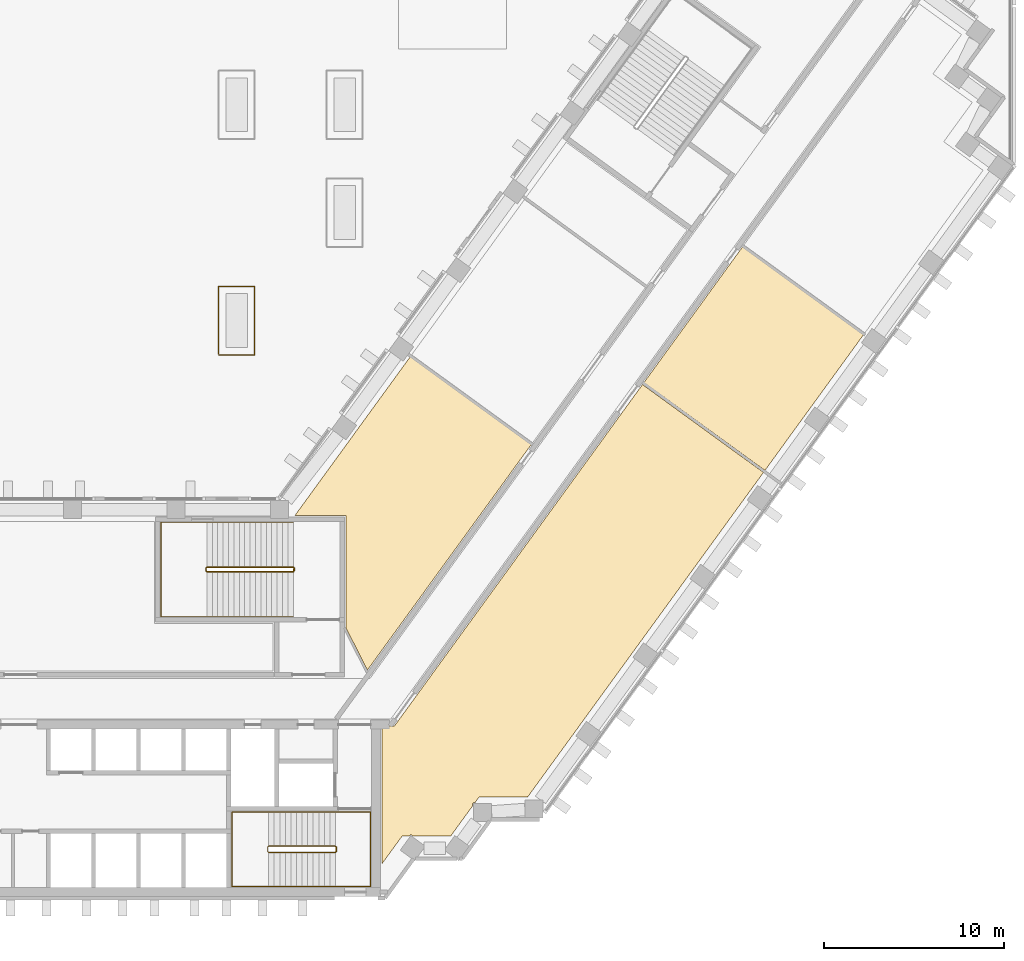
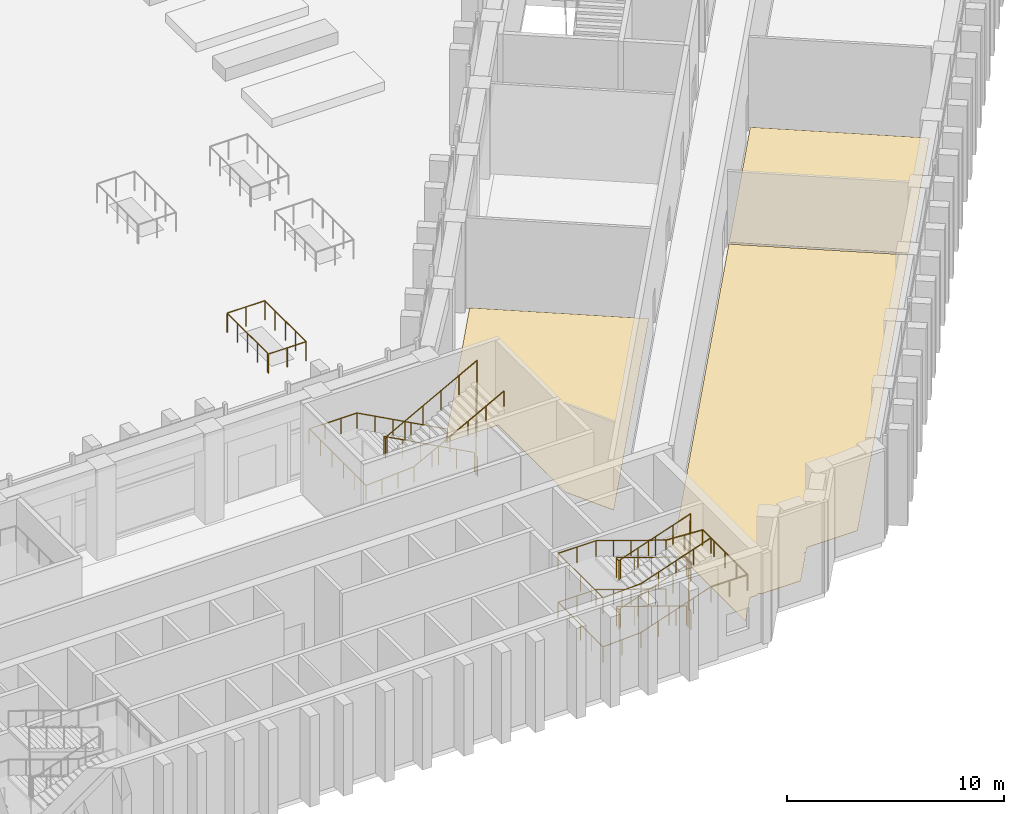
# One storey, part 23 of 25: 5 railings, 3 coverings.
"""IFC4 building model written with IfcOpenShell, lengths in metres."""

from ifc_helpers import new_model, si_unit, direction, frame, origin, origin_2d, place, context, subcontext, project, spatial, polyline, circle, outline, extrude, material, layer, layer_set, type_object, element, save


model = new_model("IFC4")

# Units and contexts
model_context = context("Model", 3, precision=1e-05, world=origin(), true_north=direction((0.0, 1.0)))
body_context = subcontext(model_context, "Body", "Model", "MODEL_VIEW")
ifc_project = project(units=[si_unit("LENGTHUNIT", "METRE"), si_unit("AREAUNIT", "SQUARE_METRE"), si_unit("VOLUMEUNIT", "CUBIC_METRE"), si_unit("PLANEANGLEUNIT", "RADIAN"), si_unit("MASSUNIT", "GRAM", prefix="KILO")], contexts=[model_context])

# Site, building, storey
site_placement = place(None, origin())
site = spatial("IfcSite", under=ifc_project, at=site_placement, CompositionType="ELEMENT")
building_placement = place(site_placement, origin())
building = spatial("IfcBuilding", under=site, at=building_placement, Name="Quipu Civic Tower", CompositionType="ELEMENT")
storey_placement = place(building_placement, frame((0.0, 0.0, 6.0)))
storey = spatial("IfcBuildingStorey", under=building, at=storey_placement, Name="L01", CompositionType="ELEMENT", Elevation=6.0)

# Coverings
ifc_material_1 = material(Name="Carpet tile on raised access floor")
ifc_layer = layer(ifc_material_1, 0.02001953125)
ifc_layer_set = layer_set([ifc_layer], Name="Carpet tile on raised access floor")
covering_type = type_object("IfcCoveringType", Name="Carpet tile floor finish 20", PredefinedType="FLOORING", material=ifc_layer_set)
covering_1_placement = place(storey_placement, origin())
element("IfcCovering", 1, at=covering_1_placement, inside=storey, type_object=covering_type, Name="Carpet tile floor finish 20", PredefinedType="FLOORING", context=body_context, shape_type="SweptSolid", body=[
    extrude(outline(polyline([(34.639892578125, 17.56396484375), (40.112060546875, 25.095947265625), (46.8349609375, 20.2119140625), (41.364013671875, 12.679931640625), (34.639892578125, 17.56396484375)])), origin(), (0.0, 0.0, 1.0), 0.02001953125),
])
covering_2_placement = place(storey_placement, origin())
element("IfcCovering", 2, at=covering_2_placement, inside=storey, type_object=covering_type, Name="Carpet tile floor finish 20", PredefinedType="FLOORING", context=body_context, shape_type="SweptSolid", body=[
    extrude(outline(polyline([(15.238037109375, 10.169921875), (21.64794921875, 18.992919921875), (28.37109375, 14.10888671875), (19.27197265625, 1.583984375), (18.070068359375, 3.94189453125), (18.070068359375, 10.1689453125), (15.238037109375, 10.169921875)])), origin(), (0.0, 0.0, 1.0), 0.02001953125),
])
covering_3_placement = place(storey_placement, origin())
element("IfcCovering", 3, at=covering_3_placement, inside=storey, type_object=covering_type, Name="Carpet tile floor finish 20", PredefinedType="FLOORING", context=body_context, shape_type="SweptSolid", body=[
    extrude(outline(polyline([(20.070068359375, -9.195068359375), (20.070068359375, -1.52001953125), (20.77490234375, -1.51904296875), (34.556884765625, 17.450927734375), (41.281005859375, 12.56689453125), (28.181884765625, -5.4609375), (25.48193359375, -5.4619140625), (25.24609375, -5.787109375), (25.174072265625, -5.787109375), (25.1689453125, -5.787109375), (25.1650390625, -5.7880859375), (25.159912109375, -5.7890625), (25.155029296875, -5.791015625), (25.15087890625, -5.79296875), (25.14697265625, -5.794921875), (25.14306640625, -5.798095703125), (25.138916015625, -5.802001953125), (25.135986328125, -5.804931640625), (25.133056640625, -5.80908203125), (25.1298828125, -5.81298828125), (25.1279296875, -5.818115234375), (25.126953125, -5.822021484375), (25.125, -5.826904296875), (25.125, -5.83203125), (25.1240234375, -5.8369140625), (25.1240234375, -5.955078125), (23.89501953125, -7.64599609375), (21.806884765625, -7.64599609375), (21.7109375, -7.575927734375), (21.7060546875, -7.572998046875), (21.701904296875, -7.571044921875), (21.697998046875, -7.569091796875), (21.693115234375, -7.568115234375), (21.68798828125, -7.56689453125), (21.68310546875, -7.56689453125), (21.677978515625, -7.56689453125), (21.673095703125, -7.56689453125), (21.6689453125, -7.568115234375), (21.6640625, -7.570068359375), (21.658935546875, -7.572021484375), (21.655029296875, -7.573974609375), (21.65087890625, -7.576904296875), (21.64697265625, -7.580078125), (21.64404296875, -7.5830078125), (21.64111328125, -7.5869140625), (21.597900390625, -7.64599609375), (21.196044921875, -7.64599609375), (20.070068359375, -9.195068359375)])), origin(), (0.0, 0.0, 1.0), 0.02001953125),
])

# Railings
ifc_material_2 = material(Name="Steel S275", Category="steel")
railing_type_1 = type_object("IfcRailingType", Name="Deck balustrade G2", PredefinedType="BALUSTRADE", material=ifc_material_2)
railing_1_placement = place(storey_placement, frame((11.0, 19.10009765625, 0.0)))
element("IfcRailing", 4, at=railing_1_placement, inside=storey, type_object=railing_type_1, Name="Rooflight guard 2", PredefinedType="BALUSTRADE", context=body_context, shape_type="SweptSolid", body=[
    extrude(circle(Radius=0.02490234375, at=origin_2d()), frame((0.0, 0.0, 1.0751953125), z_axis=(1.0, 0.0, 0.0), x_axis=(0.0, 1.0, 0.0)), (0.0, 0.0, 1.0), 2.0),
    extrude(circle(Radius=0.02490234375, at=origin_2d()), frame((2.0, 0.0, 1.0751953125), z_axis=(0.0, 1.0, 0.0), x_axis=(-1.0, 0.0, 0.0)), (0.0, 0.0, 1.0), 3.7998046875),
    extrude(circle(Radius=0.02490234375, at=origin_2d()), frame((2.0, 3.7998046875, 1.0751953125), z_axis=(-1.0, 0.0, 0.0), x_axis=(0.0, -1.0, 0.0)), (0.0, 0.0, 1.0), 2.0),
    extrude(circle(Radius=0.02490234375, at=origin_2d()), frame((0.0, 3.7998046875, 1.0751953125), z_axis=(0.0, -1.0, 0.0), x_axis=(1.0, 0.0, 0.0)), (0.0, 0.0, 1.0), 3.72998046875),
    extrude(circle(Radius=0.02490234375, at=origin_2d()), origin(), (0.0, 0.0, 1.0), 1.050048828125),
    extrude(circle(Radius=0.02490234375, at=origin_2d()), frame((1.0, 0.0, 0.0)), (0.0, 0.0, 1.0), 1.050048828125),
    extrude(circle(Radius=0.02490234375, at=origin_2d()), frame((2.0, 0.0, 0.0)), (0.0, 0.0, 1.0), 1.050048828125),
    extrude(circle(Radius=0.02490234375, at=origin_2d()), frame((2.0, 0.949951171875, 0.0)), (0.0, 0.0, 1.0), 1.050048828125),
    extrude(circle(Radius=0.02490234375, at=origin_2d()), frame((2.0, 1.89990234375, 0.0)), (0.0, 0.0, 1.0), 1.050048828125),
    extrude(circle(Radius=0.02490234375, at=origin_2d()), frame((2.0, 2.849853515625, 0.0)), (0.0, 0.0, 1.0), 1.050048828125),
    extrude(circle(Radius=0.02490234375, at=origin_2d()), frame((2.0, 3.7998046875, 0.0)), (0.0, 0.0, 1.0), 1.050048828125),
    extrude(circle(Radius=0.02490234375, at=origin_2d()), frame((1.0, 3.7998046875, 0.0)), (0.0, 0.0, 1.0), 1.050048828125),
    extrude(circle(Radius=0.02490234375, at=origin_2d()), frame((0.0, 3.7998046875, 0.0)), (0.0, 0.0, 1.0), 1.050048828125),
    extrude(circle(Radius=0.02490234375, at=origin_2d()), frame((0.0, 2.8671875, 0.0)), (0.0, 0.0, 1.0), 1.050048828125),
    extrude(circle(Radius=0.02490234375, at=origin_2d()), frame((0.0, 1.934814453125, 0.0)), (0.0, 0.0, 1.0), 1.050048828125),
    extrude(circle(Radius=0.02490234375, at=origin_2d()), frame((0.0, 1.00244140625, 0.0)), (0.0, 0.0, 1.0), 1.050048828125),
    extrude(circle(Radius=0.02490234375, at=origin_2d()), frame((0.0, 0.06982421875, 0.0)), (0.0, 0.0, 1.0), 1.050048828125),
])
ifc_material_3 = material(Name="Stainless steel", Category="steel")
railing_type_2 = type_object("IfcRailingType", Name="Stair guard 1100", PredefinedType="GUARDRAIL", material=ifc_material_3)
railing_2_placement = place(storey_placement, frame((17.5, -8.199951171875, 0.105712890625)))
element("IfcRailing", 5, at=railing_2_placement, inside=storey, type_object=railing_type_2, Name="Stair 2 guard", PredefinedType="GUARDRAIL", context=body_context, shape_type="SweptSolid", body=[
    extrude(circle(Radius=0.02392578125, at=origin_2d()), frame((0.0, 0.0, 1.076171875), z_axis=(-0.946423494061, 0.0, 0.322928118765), x_axis=(0.0, -1.0, 0.0)), (0.0, 0.0, 1.0), 3.9306640625),
    extrude(circle(Radius=0.02392578125, at=origin_2d()), frame((-3.719970703125, 0.0, 2.34521484375), z_axis=(-0.707106781187, -0.707106781187, 0.0), x_axis=(0.707106781187, -0.707106781187, 0.0)), (0.0, 0.0, 1.0), 0.07080078125),
    extrude(circle(Radius=0.02392578125, at=origin_2d()), frame((-3.77001953125, -0.050048828125, 2.34521484375), z_axis=(0.0, -1.0, 0.0), x_axis=(1.0, 0.0, 0.0)), (0.0, 0.0, 1.0), 0.25),
    extrude(circle(Radius=0.02392578125, at=origin_2d()), frame((-3.77001953125, -0.300048828125, 2.34521484375), z_axis=(0.393403078344, -0.393403078344, 0.830944063039), x_axis=(0.707106781187, 0.707106781187, 0.0)), (0.0, 0.0, 1.0), 0.127197265625),
    extrude(circle(Radius=0.02392578125, at=origin_2d()), frame((-3.719970703125, -0.35009765625, 2.451171875), z_axis=(0.946423494061, 0.0, 0.322928118765), x_axis=(0.0, 1.0, 0.0)), (0.0, 0.0, 1.0), 3.9306640625),
    extrude(circle(Radius=0.02392578125, at=origin_2d()), frame((0.0, -0.35009765625, 3.72021484375), z_axis=(0.164529134168, 0.986372223864, 0.0), x_axis=(-0.986372223864, 0.164529134168, 0.0)), (0.0, 0.0, 1.0), 0.30419921875),
    extrude(circle(Radius=0.02392578125, at=origin_2d()), frame((0.050048828125, -0.050048828125, 3.72021484375), z_axis=(0.0, -1.0, 0.0), x_axis=(1.0, 0.0, 0.0)), (0.0, 0.0, 1.0), 0.25),
    extrude(circle(Radius=0.02392578125, at=origin_2d()), frame((0.050048828125, -0.300048828125, 3.72021484375), z_axis=(-0.155412108586, 0.931714543669, 0.328260697648), x_axis=(-0.986372223864, -0.164529134168, 0.0)), (0.0, 0.0, 1.0), 0.322021484375),
    extrude(circle(Radius=0.02392578125, at=origin_2d()), frame((0.0, 0.0, 3.826171875), z_axis=(-0.946423494061, 0.0, 0.322928118765), x_axis=(0.0, -1.0, 0.0)), (0.0, 0.0, 1.0), 3.9306640625),
    extrude(circle(Radius=0.02392578125, at=origin_2d()), frame((-3.719970703125, 0.0, 5.09521484375), z_axis=(-0.707106781187, -0.707106781187, 0.0), x_axis=(0.707106781187, -0.707106781187, 0.0)), (0.0, 0.0, 1.0), 0.07080078125),
    extrude(circle(Radius=0.02392578125, at=origin_2d()), frame((-3.77001953125, -0.050048828125, 5.09521484375), z_axis=(0.0, -1.0, 0.0), x_axis=(1.0, 0.0, 0.0)), (0.0, 0.0, 1.0), 0.25),
    extrude(circle(Radius=0.02392578125, at=origin_2d()), frame((-3.77001953125, -0.300048828125, 5.09521484375), z_axis=(0.393403078344, -0.393403078344, 0.830944063039), x_axis=(0.707106781187, 0.707106781187, 0.0)), (0.0, 0.0, 1.0), 0.127197265625),
    extrude(circle(Radius=0.02392578125, at=origin_2d()), frame((-3.719970703125, -0.35009765625, 5.201171875), z_axis=(0.946423494061, 0.0, 0.322928118765), x_axis=(0.0, 1.0, 0.0)), (0.0, 0.0, 1.0), 3.9306640625),
    extrude(circle(Radius=0.02392578125, at=origin_2d()), frame((0.0, -0.35009765625, 6.47021484375), z_axis=(0.009085900743, 0.05447108299, -0.998474009439), x_axis=(-0.986372223864, 0.164529134168, 0.0)), (0.0, 0.0, 1.0), 5.50830078125),
    extrude(circle(Radius=0.02392578125, at=origin_2d()), frame((0.050048828125, -0.050048828125, 0.97021484375), z_axis=(0.0, -1.0, 0.0), x_axis=(1.0, 0.0, 0.0)), (0.0, 0.0, 1.0), 0.25),
    extrude(circle(Radius=0.02099609375, at=origin_2d()), origin(), (0.0, 0.0, 1.0), 1.052001953125),
    extrude(circle(Radius=0.02099609375, at=origin_2d()), frame((-0.929931640625, 0.0, 0.3173828125)), (0.0, 0.0, 1.0), 1.052001953125),
    extrude(circle(Radius=0.02099609375, at=origin_2d()), frame((-1.85986328125, 0.0, 0.634765625)), (0.0, 0.0, 1.0), 1.052001953125),
    extrude(circle(Radius=0.02099609375, at=origin_2d()), frame((-2.7900390625, 0.0, 0.951904296875)), (0.0, 0.0, 1.0), 1.052001953125),
    extrude(circle(Radius=0.02099609375, at=origin_2d()), frame((-3.719970703125, 0.0, 1.269287109375)), (0.0, 0.0, 1.0), 1.052001953125),
    extrude(circle(Radius=0.02099609375, at=origin_2d()), frame((-3.77001953125, -0.050048828125, 1.269287109375)), (0.0, 0.0, 1.0), 1.052001953125),
    extrude(circle(Radius=0.02099609375, at=origin_2d()), frame((-3.77001953125, -0.300048828125, 1.269287109375)), (0.0, 0.0, 1.0), 1.052001953125),
    extrude(circle(Radius=0.02099609375, at=origin_2d()), frame((-3.719970703125, -0.35009765625, 1.375)), (0.0, 0.0, 1.0), 1.052001953125),
    extrude(circle(Radius=0.02099609375, at=origin_2d()), frame((-2.7900390625, -0.35009765625, 1.6923828125)), (0.0, 0.0, 1.0), 1.052001953125),
    extrude(circle(Radius=0.02099609375, at=origin_2d()), frame((-1.85986328125, -0.35009765625, 2.009765625)), (0.0, 0.0, 1.0), 1.052001953125),
    extrude(circle(Radius=0.02099609375, at=origin_2d()), frame((-0.929931640625, -0.35009765625, 2.326904296875)), (0.0, 0.0, 1.0), 1.052001953125),
    extrude(circle(Radius=0.02099609375, at=origin_2d()), frame((0.0, -0.35009765625, 2.644287109375)), (0.0, 0.0, 1.0), 1.052001953125),
    extrude(circle(Radius=0.02099609375, at=origin_2d()), frame((0.050048828125, -0.050048828125, 2.644287109375)), (0.0, 0.0, 1.0), 1.052001953125),
    extrude(circle(Radius=0.02099609375, at=origin_2d()), frame((0.050048828125, -0.300048828125, 2.644287109375)), (0.0, 0.0, 1.0), 1.052001953125),
    extrude(circle(Radius=0.02099609375, at=origin_2d()), frame((0.0, 0.0, 2.75)), (0.0, 0.0, 1.0), 1.052001953125),
    extrude(circle(Radius=0.02099609375, at=origin_2d()), frame((-0.929931640625, 0.0, 3.0673828125)), (0.0, 0.0, 1.0), 1.052001953125),
    extrude(circle(Radius=0.02099609375, at=origin_2d()), frame((-1.85986328125, 0.0, 3.384765625)), (0.0, 0.0, 1.0), 1.052001953125),
    extrude(circle(Radius=0.02099609375, at=origin_2d()), frame((-2.7900390625, 0.0, 3.701904296875)), (0.0, 0.0, 1.0), 1.052001953125),
    extrude(circle(Radius=0.02099609375, at=origin_2d()), frame((-3.719970703125, 0.0, 4.019287109375)), (0.0, 0.0, 1.0), 1.052001953125),
    extrude(circle(Radius=0.02099609375, at=origin_2d()), frame((-3.77001953125, -0.050048828125, 4.019287109375)), (0.0, 0.0, 1.0), 1.052001953125),
    extrude(circle(Radius=0.02099609375, at=origin_2d()), frame((-3.77001953125, -0.300048828125, 4.019287109375)), (0.0, 0.0, 1.0), 1.052001953125),
    extrude(circle(Radius=0.02099609375, at=origin_2d()), frame((-3.719970703125, -0.35009765625, 4.125)), (0.0, 0.0, 1.0), 1.052001953125),
    extrude(circle(Radius=0.02099609375, at=origin_2d()), frame((-2.7900390625, -0.35009765625, 4.4423828125)), (0.0, 0.0, 1.0), 1.052001953125),
    extrude(circle(Radius=0.02099609375, at=origin_2d()), frame((-1.85986328125, -0.35009765625, 4.759765625)), (0.0, 0.0, 1.0), 1.052001953125),
    extrude(circle(Radius=0.02099609375, at=origin_2d()), frame((-0.929931640625, -0.35009765625, 5.076904296875)), (0.0, 0.0, 1.0), 1.052001953125),
    extrude(circle(Radius=0.02099609375, at=origin_2d()), frame((0.0, -0.35009765625, 5.394287109375)), (0.0, 0.0, 1.0), 1.052001953125),
    extrude(circle(Radius=0.02099609375, at=origin_2d()), frame((0.010009765625, -0.2900390625, 4.294189453125)), (0.0, 0.0, 1.0), 1.052001953125),
    extrude(circle(Radius=0.02099609375, at=origin_2d()), frame((0.02001953125, -0.22998046875, 3.1943359375)), (0.0, 0.0, 1.0), 1.052001953125),
    extrude(circle(Radius=0.02099609375, at=origin_2d()), frame((0.030029296875, -0.170166015625, 2.09423828125)), (0.0, 0.0, 1.0), 1.052001953125),
    extrude(circle(Radius=0.02099609375, at=origin_2d()), frame((0.0400390625, -0.110107421875, 0.994384765625)), (0.0, 0.0, 1.0), 1.052001953125),
    extrude(circle(Radius=0.02099609375, at=origin_2d()), frame((0.050048828125, -0.050048828125, -0.105712890625)), (0.0, 0.0, 1.0), 1.052001953125),
    extrude(circle(Radius=0.02099609375, at=origin_2d()), frame((0.050048828125, -0.300048828125, -0.105712890625)), (0.0, 0.0, 1.0), 1.052001953125),
])
railing_3_placement = place(storey_placement, frame((15.14990234375, 7.300048828125, 0.161865234375)))
element("IfcRailing", 6, at=railing_3_placement, inside=storey, type_object=railing_type_2, Name="Stair 4 guard", PredefinedType="GUARDRAIL", context=body_context, shape_type="SweptSolid", body=[
    extrude(circle(Radius=0.02392578125, at=origin_2d()), frame((0.0, 0.0, 1.076171875), z_axis=(-0.880193493545, 0.0, 0.474615016535), x_axis=(0.0, -1.0, 0.0)), (0.0, 0.0, 1.0), 5.453125),
    extrude(circle(Radius=0.02392578125, at=origin_2d()), frame((-4.7998046875, 0.0, 3.6640625), z_axis=(-0.707106781187, -0.707106781187, 0.0), x_axis=(0.707106781187, -0.707106781187, 0.0)), (0.0, 0.0, 1.0), 0.07080078125),
    extrude(circle(Radius=0.02392578125, at=origin_2d()), frame((-4.849853515625, -0.050048828125, 3.6640625), z_axis=(0.0, -1.0, 0.0), x_axis=(1.0, 0.0, 0.0)), (0.0, 0.0, 1.0), 0.14990234375),
    extrude(circle(Radius=0.02392578125, at=origin_2d()), frame((-4.849853515625, -0.199951171875, 3.6640625), z_axis=(0.283299731285, -0.283299731285, 0.916232789474), x_axis=(0.707106781187, 0.707106781187, 0.0)), (0.0, 0.0, 1.0), 0.1767578125),
    extrude(circle(Radius=0.02392578125, at=origin_2d()), frame((-4.7998046875, -0.25, 3.826171875), z_axis=(0.880193493545, 0.0, 0.474615016535), x_axis=(0.0, 1.0, 0.0)), (0.0, 0.0, 1.0), 5.453125),
    extrude(circle(Radius=0.02392578125, at=origin_2d()), frame((0.0, -0.25, 6.4140625), z_axis=(0.009093403445, 0.036329255716, -0.999298501546), x_axis=(-0.970072785993, 0.242814311512, 0.0)), (0.0, 0.0, 1.0), 5.50390625),
    extrude(circle(Radius=0.02392578125, at=origin_2d()), frame((0.050048828125, -0.050048828125, 0.9140625), z_axis=(0.0, -1.0, 0.0), x_axis=(1.0, 0.0, 0.0)), (0.0, 0.0, 1.0), 0.14990234375),
    extrude(circle(Radius=0.02099609375, at=origin_2d()), origin(), (0.0, 0.0, 1.0), 1.052001953125),
    extrude(circle(Radius=0.02099609375, at=origin_2d()), frame((-0.9599609375, 0.0, 0.517578125)), (0.0, 0.0, 1.0), 1.052001953125),
    extrude(circle(Radius=0.02099609375, at=origin_2d()), frame((-1.919921875, 0.0, 1.03515625)), (0.0, 0.0, 1.0), 1.052001953125),
    extrude(circle(Radius=0.02099609375, at=origin_2d()), frame((-2.8798828125, 0.0, 1.552978515625)), (0.0, 0.0, 1.0), 1.052001953125),
    extrude(circle(Radius=0.02099609375, at=origin_2d()), frame((-3.83984375, 0.0, 2.070556640625)), (0.0, 0.0, 1.0), 1.052001953125),
    extrude(circle(Radius=0.02099609375, at=origin_2d()), frame((-4.7998046875, 0.0, 2.588134765625)), (0.0, 0.0, 1.0), 1.052001953125),
    extrude(circle(Radius=0.02099609375, at=origin_2d()), frame((-4.849853515625, -0.050048828125, 2.588134765625)), (0.0, 0.0, 1.0), 1.052001953125),
    extrude(circle(Radius=0.02099609375, at=origin_2d()), frame((-4.849853515625, -0.199951171875, 2.588134765625)), (0.0, 0.0, 1.0), 1.052001953125),
    extrude(circle(Radius=0.02099609375, at=origin_2d()), frame((-4.7998046875, -0.25, 2.75)), (0.0, 0.0, 1.0), 1.052001953125),
    extrude(circle(Radius=0.02099609375, at=origin_2d()), frame((-3.83984375, -0.25, 3.267578125)), (0.0, 0.0, 1.0), 1.052001953125),
    extrude(circle(Radius=0.02099609375, at=origin_2d()), frame((-2.8798828125, -0.25, 3.78515625)), (0.0, 0.0, 1.0), 1.052001953125),
    extrude(circle(Radius=0.02099609375, at=origin_2d()), frame((-1.919921875, -0.25, 4.302978515625)), (0.0, 0.0, 1.0), 1.052001953125),
    extrude(circle(Radius=0.02099609375, at=origin_2d()), frame((-0.9599609375, -0.25, 4.820556640625)), (0.0, 0.0, 1.0), 1.052001953125),
    extrude(circle(Radius=0.02099609375, at=origin_2d()), frame((0.0, -0.25, 5.338134765625)), (0.0, 0.0, 1.0), 1.052001953125),
    extrude(circle(Radius=0.02099609375, at=origin_2d()), frame((0.010009765625, -0.2099609375, 4.238037109375)), (0.0, 0.0, 1.0), 1.052001953125),
    extrude(circle(Radius=0.02099609375, at=origin_2d()), frame((0.02001953125, -0.169921875, 3.13818359375)), (0.0, 0.0, 1.0), 1.052001953125),
    extrude(circle(Radius=0.02099609375, at=origin_2d()), frame((0.030029296875, -0.130126953125, 2.0380859375)), (0.0, 0.0, 1.0), 1.052001953125),
    extrude(circle(Radius=0.02099609375, at=origin_2d()), frame((0.0400390625, -0.090087890625, 0.938232421875)), (0.0, 0.0, 1.0), 1.052001953125),
    extrude(circle(Radius=0.02099609375, at=origin_2d()), frame((0.050048828125, -0.050048828125, -0.161865234375)), (0.0, 0.0, 1.0), 1.052001953125),
    extrude(circle(Radius=0.02099609375, at=origin_2d()), frame((0.050048828125, -0.199951171875, -0.161865234375)), (0.0, 0.0, 1.0), 1.052001953125),
])
ifc_material_4 = material(Name="Stainless steel", Category="steel")
railing_type_3 = type_object("IfcRailingType", Name="Stair handrail", PredefinedType="HANDRAIL", material=ifc_material_4)
railing_4_placement = place(storey_placement, frame((17.5, -6.300048828125, 0.105712890625)))
element("IfcRailing", 7, at=railing_4_placement, inside=storey, type_object=railing_type_3, Name="Stair 2 handrail", PredefinedType="HANDRAIL", context=body_context, shape_type="SweptSolid", body=[
    extrude(circle(Radius=0.02392578125, at=origin_2d()), frame((0.0, 0.0, 0.8759765625), z_axis=(-0.946423494061, 0.0, 0.322928118765), x_axis=(0.0, -1.0, 0.0)), (0.0, 0.0, 1.0), 3.9306640625),
    extrude(circle(Radius=0.02392578125, at=origin_2d()), frame((-3.719970703125, 0.0, 2.14501953125), z_axis=(-1.0, 0.0, 0.0), x_axis=(0.0, -1.0, 0.0)), (0.0, 0.0, 1.0), 2.030029296875),
    extrude(circle(Radius=0.02392578125, at=origin_2d()), frame((-5.75, 0.0, 2.14501953125), z_axis=(0.0, -1.0, 0.0), x_axis=(1.0, 0.0, 0.0)), (0.0, 0.0, 1.0), 4.14990234375),
    extrude(circle(Radius=0.02392578125, at=origin_2d()), frame((-5.75, -4.14990234375, 2.14501953125), z_axis=(0.998646871289, 0.0, 0.052004100453), x_axis=(0.0, 1.0, 0.0)), (0.0, 0.0, 1.0), 2.03271484375),
    extrude(circle(Radius=0.02392578125, at=origin_2d()), frame((-3.719970703125, -4.14990234375, 2.2509765625), z_axis=(0.946423494061, 0.0, 0.322928118765), x_axis=(0.0, 1.0, 0.0)), (0.0, 0.0, 1.0), 3.9306640625),
    extrude(circle(Radius=0.02392578125, at=origin_2d()), frame((0.0, -4.14990234375, 3.52001953125), z_axis=(1.0, 0.0, 0.0), x_axis=(0.0, 1.0, 0.0)), (0.0, 0.0, 1.0), 1.949951171875),
    extrude(circle(Radius=0.02392578125, at=origin_2d()), frame((1.949951171875, -4.14990234375, 3.52001953125), z_axis=(0.0, 1.0, 0.0), x_axis=(-1.0, 0.0, 0.0)), (0.0, 0.0, 1.0), 4.14990234375),
    extrude(circle(Radius=0.02392578125, at=origin_2d()), frame((1.949951171875, 0.0, 3.52001953125), z_axis=(-0.99853370146, 0.0, 0.054133603698), x_axis=(0.0, -1.0, 0.0)), (0.0, 0.0, 1.0), 1.952880859375),
    extrude(circle(Radius=0.02392578125, at=origin_2d()), frame((0.0, 0.0, 3.6259765625), z_axis=(-0.946423494061, 0.0, 0.322928118765), x_axis=(0.0, -1.0, 0.0)), (0.0, 0.0, 1.0), 3.9306640625),
    extrude(circle(Radius=0.02392578125, at=origin_2d()), frame((-3.719970703125, 0.0, 4.89501953125), z_axis=(-1.0, 0.0, 0.0), x_axis=(0.0, -1.0, 0.0)), (0.0, 0.0, 1.0), 2.030029296875),
    extrude(circle(Radius=0.02392578125, at=origin_2d()), frame((-5.75, 0.0, 4.89501953125), z_axis=(0.0, -1.0, 0.0), x_axis=(1.0, 0.0, 0.0)), (0.0, 0.0, 1.0), 4.14990234375),
    extrude(circle(Radius=0.02392578125, at=origin_2d()), frame((-5.75, -4.14990234375, 4.89501953125), z_axis=(0.998646871289, 0.0, 0.052004100453), x_axis=(0.0, 1.0, 0.0)), (0.0, 0.0, 1.0), 2.03271484375),
    extrude(circle(Radius=0.02392578125, at=origin_2d()), frame((-3.719970703125, -4.14990234375, 5.0009765625), z_axis=(0.946423494061, 0.0, 0.322928118765), x_axis=(0.0, 1.0, 0.0)), (0.0, 0.0, 1.0), 3.9306640625),
    extrude(circle(Radius=0.02099609375, at=origin_2d()), origin(), (0.0, 0.0, 1.0), 0.851806640625),
    extrude(circle(Radius=0.02099609375, at=origin_2d()), frame((-0.929931640625, 0.0, 0.3173828125)), (0.0, 0.0, 1.0), 0.851806640625),
    extrude(circle(Radius=0.02099609375, at=origin_2d()), frame((-1.85986328125, 0.0, 0.634765625)), (0.0, 0.0, 1.0), 0.851806640625),
    extrude(circle(Radius=0.02099609375, at=origin_2d()), frame((-2.7900390625, 0.0, 0.951904296875)), (0.0, 0.0, 1.0), 0.851806640625),
    extrude(circle(Radius=0.02099609375, at=origin_2d()), frame((-3.719970703125, 0.0, 1.269287109375)), (0.0, 0.0, 1.0), 0.851806640625),
    extrude(circle(Radius=0.02099609375, at=origin_2d()), frame((-4.73486328125, 0.0, 1.269287109375)), (0.0, 0.0, 1.0), 0.851806640625),
    extrude(circle(Radius=0.02099609375, at=origin_2d()), frame((-5.75, 0.0, 1.269287109375)), (0.0, 0.0, 1.0), 0.851806640625),
    extrude(circle(Radius=0.02099609375, at=origin_2d()), frame((-5.75, -1.03759765625, 1.269287109375)), (0.0, 0.0, 1.0), 0.851806640625),
    extrude(circle(Radius=0.02099609375, at=origin_2d()), frame((-5.75, -2.074951171875, 1.269287109375)), (0.0, 0.0, 1.0), 0.851806640625),
    extrude(circle(Radius=0.02099609375, at=origin_2d()), frame((-5.75, -3.1123046875, 1.269287109375)), (0.0, 0.0, 1.0), 0.851806640625),
    extrude(circle(Radius=0.02099609375, at=origin_2d()), frame((-5.75, -4.14990234375, 1.269287109375)), (0.0, 0.0, 1.0), 0.851806640625),
    extrude(circle(Radius=0.02099609375, at=origin_2d()), frame((-4.73486328125, -4.14990234375, 1.322265625)), (0.0, 0.0, 1.0), 0.851806640625),
    extrude(circle(Radius=0.02099609375, at=origin_2d()), frame((-3.719970703125, -4.14990234375, 1.375)), (0.0, 0.0, 1.0), 0.851806640625),
    extrude(circle(Radius=0.02099609375, at=origin_2d()), frame((-2.7900390625, -4.14990234375, 1.6923828125)), (0.0, 0.0, 1.0), 0.851806640625),
    extrude(circle(Radius=0.02099609375, at=origin_2d()), frame((-1.85986328125, -4.14990234375, 2.009765625)), (0.0, 0.0, 1.0), 0.851806640625),
    extrude(circle(Radius=0.02099609375, at=origin_2d()), frame((-0.929931640625, -4.14990234375, 2.326904296875)), (0.0, 0.0, 1.0), 0.851806640625),
    extrude(circle(Radius=0.02099609375, at=origin_2d()), frame((0.0, -4.14990234375, 2.644287109375)), (0.0, 0.0, 1.0), 0.851806640625),
    extrude(circle(Radius=0.02099609375, at=origin_2d()), frame((0.97509765625, -4.14990234375, 2.644287109375)), (0.0, 0.0, 1.0), 0.851806640625),
    extrude(circle(Radius=0.02099609375, at=origin_2d()), frame((1.949951171875, -4.14990234375, 2.644287109375)), (0.0, 0.0, 1.0), 0.851806640625),
    extrude(circle(Radius=0.02099609375, at=origin_2d()), frame((1.949951171875, -3.1123046875, 2.644287109375)), (0.0, 0.0, 1.0), 0.851806640625),
    extrude(circle(Radius=0.02099609375, at=origin_2d()), frame((1.949951171875, -2.074951171875, 2.644287109375)), (0.0, 0.0, 1.0), 0.851806640625),
    extrude(circle(Radius=0.02099609375, at=origin_2d()), frame((1.949951171875, -1.03759765625, 2.644287109375)), (0.0, 0.0, 1.0), 0.851806640625),
    extrude(circle(Radius=0.02099609375, at=origin_2d()), frame((1.949951171875, 0.0, 2.644287109375)), (0.0, 0.0, 1.0), 0.851806640625),
    extrude(circle(Radius=0.02099609375, at=origin_2d()), frame((0.97509765625, 0.0, 2.697265625)), (0.0, 0.0, 1.0), 0.851806640625),
    extrude(circle(Radius=0.02099609375, at=origin_2d()), frame((0.0, 0.0, 2.75)), (0.0, 0.0, 1.0), 0.851806640625),
    extrude(circle(Radius=0.02099609375, at=origin_2d()), frame((-0.929931640625, 0.0, 3.0673828125)), (0.0, 0.0, 1.0), 0.851806640625),
    extrude(circle(Radius=0.02099609375, at=origin_2d()), frame((-1.85986328125, 0.0, 3.384765625)), (0.0, 0.0, 1.0), 0.851806640625),
    extrude(circle(Radius=0.02099609375, at=origin_2d()), frame((-2.7900390625, 0.0, 3.701904296875)), (0.0, 0.0, 1.0), 0.851806640625),
    extrude(circle(Radius=0.02099609375, at=origin_2d()), frame((-3.719970703125, 0.0, 4.019287109375)), (0.0, 0.0, 1.0), 0.851806640625),
    extrude(circle(Radius=0.02099609375, at=origin_2d()), frame((-4.73486328125, 0.0, 4.019287109375)), (0.0, 0.0, 1.0), 0.851806640625),
    extrude(circle(Radius=0.02099609375, at=origin_2d()), frame((-5.75, 0.0, 4.019287109375)), (0.0, 0.0, 1.0), 0.851806640625),
    extrude(circle(Radius=0.02099609375, at=origin_2d()), frame((-5.75, -1.03759765625, 4.019287109375)), (0.0, 0.0, 1.0), 0.851806640625),
    extrude(circle(Radius=0.02099609375, at=origin_2d()), frame((-5.75, -2.074951171875, 4.019287109375)), (0.0, 0.0, 1.0), 0.851806640625),
    extrude(circle(Radius=0.02099609375, at=origin_2d()), frame((-5.75, -3.1123046875, 4.019287109375)), (0.0, 0.0, 1.0), 0.851806640625),
    extrude(circle(Radius=0.02099609375, at=origin_2d()), frame((-5.75, -4.14990234375, 4.019287109375)), (0.0, 0.0, 1.0), 0.851806640625),
    extrude(circle(Radius=0.02099609375, at=origin_2d()), frame((-4.73486328125, -4.14990234375, 4.072265625)), (0.0, 0.0, 1.0), 0.851806640625),
    extrude(circle(Radius=0.02099609375, at=origin_2d()), frame((-3.719970703125, -4.14990234375, 4.125)), (0.0, 0.0, 1.0), 0.851806640625),
    extrude(circle(Radius=0.02099609375, at=origin_2d()), frame((-2.7900390625, -4.14990234375, 4.4423828125)), (0.0, 0.0, 1.0), 0.851806640625),
    extrude(circle(Radius=0.02099609375, at=origin_2d()), frame((-1.85986328125, -4.14990234375, 4.759765625)), (0.0, 0.0, 1.0), 0.851806640625),
    extrude(circle(Radius=0.02099609375, at=origin_2d()), frame((-0.929931640625, -4.14990234375, 5.076904296875)), (0.0, 0.0, 1.0), 0.851806640625),
    extrude(circle(Radius=0.02099609375, at=origin_2d()), frame((0.0, -4.14990234375, 5.394287109375)), (0.0, 0.0, 1.0), 0.851806640625),
])
railing_5_placement = place(storey_placement, frame((15.14990234375, 9.800048828125, 0.161865234375)))
element("IfcRailing", 8, at=railing_5_placement, inside=storey, type_object=railing_type_3, Name="Stair 4 handrail", PredefinedType="HANDRAIL", context=body_context, shape_type="SweptSolid", body=[
    extrude(circle(Radius=0.02392578125, at=origin_2d()), frame((0.0, 0.0, 0.8759765625), z_axis=(-0.880193493545, 0.0, 0.474615016535), x_axis=(0.0, -1.0, 0.0)), (0.0, 0.0, 1.0), 5.453125),
    extrude(circle(Radius=0.02392578125, at=origin_2d()), frame((-4.7998046875, 0.0, 3.4638671875), z_axis=(-1.0, 0.0, 0.0), x_axis=(0.0, -1.0, 0.0)), (0.0, 0.0, 1.0), 2.550048828125),
    extrude(circle(Radius=0.02392578125, at=origin_2d()), frame((-7.349853515625, 0.0, 3.4638671875), z_axis=(0.0, -1.0, 0.0), x_axis=(1.0, 0.0, 0.0)), (0.0, 0.0, 1.0), 5.25),
    extrude(circle(Radius=0.02392578125, at=origin_2d()), frame((-7.349853515625, -5.25, 3.4638671875), z_axis=(0.997991507467, 0.0, 0.063347857295), x_axis=(0.0, 1.0, 0.0)), (0.0, 0.0, 1.0), 2.55517578125),
    extrude(circle(Radius=0.02392578125, at=origin_2d()), frame((-4.7998046875, -5.25, 3.6259765625), z_axis=(0.880193493545, 0.0, 0.474615016535), x_axis=(0.0, 1.0, 0.0)), (0.0, 0.0, 1.0), 5.453125),
    extrude(circle(Radius=0.02099609375, at=origin_2d()), origin(), (0.0, 0.0, 1.0), 0.851806640625),
    extrude(circle(Radius=0.02099609375, at=origin_2d()), frame((-0.9599609375, 0.0, 0.517578125)), (0.0, 0.0, 1.0), 0.851806640625),
    extrude(circle(Radius=0.02099609375, at=origin_2d()), frame((-1.919921875, 0.0, 1.03515625)), (0.0, 0.0, 1.0), 0.851806640625),
    extrude(circle(Radius=0.02099609375, at=origin_2d()), frame((-2.8798828125, 0.0, 1.552978515625)), (0.0, 0.0, 1.0), 0.851806640625),
    extrude(circle(Radius=0.02099609375, at=origin_2d()), frame((-3.83984375, 0.0, 2.070556640625)), (0.0, 0.0, 1.0), 0.851806640625),
    extrude(circle(Radius=0.02099609375, at=origin_2d()), frame((-4.7998046875, 0.0, 2.588134765625)), (0.0, 0.0, 1.0), 0.851806640625),
    extrude(circle(Radius=0.02099609375, at=origin_2d()), frame((-5.64990234375, 0.0, 2.588134765625)), (0.0, 0.0, 1.0), 0.851806640625),
    extrude(circle(Radius=0.02099609375, at=origin_2d()), frame((-6.499755859375, 0.0, 2.588134765625)), (0.0, 0.0, 1.0), 0.851806640625),
    extrude(circle(Radius=0.02099609375, at=origin_2d()), frame((-7.349853515625, 0.0, 2.588134765625)), (0.0, 0.0, 1.0), 0.851806640625),
    extrude(circle(Radius=0.02099609375, at=origin_2d()), frame((-7.349853515625, -1.050048828125, 2.588134765625)), (0.0, 0.0, 1.0), 0.851806640625),
    extrude(circle(Radius=0.02099609375, at=origin_2d()), frame((-7.349853515625, -2.10009765625, 2.588134765625)), (0.0, 0.0, 1.0), 0.851806640625),
    extrude(circle(Radius=0.02099609375, at=origin_2d()), frame((-7.349853515625, -3.14990234375, 2.588134765625)), (0.0, 0.0, 1.0), 0.851806640625),
    extrude(circle(Radius=0.02099609375, at=origin_2d()), frame((-7.349853515625, -4.199951171875, 2.588134765625)), (0.0, 0.0, 1.0), 0.851806640625),
    extrude(circle(Radius=0.02099609375, at=origin_2d()), frame((-7.349853515625, -5.25, 2.588134765625)), (0.0, 0.0, 1.0), 0.851806640625),
    extrude(circle(Radius=0.02099609375, at=origin_2d()), frame((-6.499755859375, -5.25, 2.64208984375)), (0.0, 0.0, 1.0), 0.851806640625),
    extrude(circle(Radius=0.02099609375, at=origin_2d()), frame((-5.64990234375, -5.25, 2.696044921875)), (0.0, 0.0, 1.0), 0.851806640625),
    extrude(circle(Radius=0.02099609375, at=origin_2d()), frame((-4.7998046875, -5.25, 2.75)), (0.0, 0.0, 1.0), 0.851806640625),
    extrude(circle(Radius=0.02099609375, at=origin_2d()), frame((-3.83984375, -5.25, 3.267578125)), (0.0, 0.0, 1.0), 0.851806640625),
    extrude(circle(Radius=0.02099609375, at=origin_2d()), frame((-2.8798828125, -5.25, 3.78515625)), (0.0, 0.0, 1.0), 0.851806640625),
    extrude(circle(Radius=0.02099609375, at=origin_2d()), frame((-1.919921875, -5.25, 4.302978515625)), (0.0, 0.0, 1.0), 0.851806640625),
    extrude(circle(Radius=0.02099609375, at=origin_2d()), frame((-0.9599609375, -5.25, 4.820556640625)), (0.0, 0.0, 1.0), 0.851806640625),
    extrude(circle(Radius=0.02099609375, at=origin_2d()), frame((0.0, -5.25, 5.338134765625)), (0.0, 0.0, 1.0), 0.851806640625),
])

save(model, "model.ifc")
